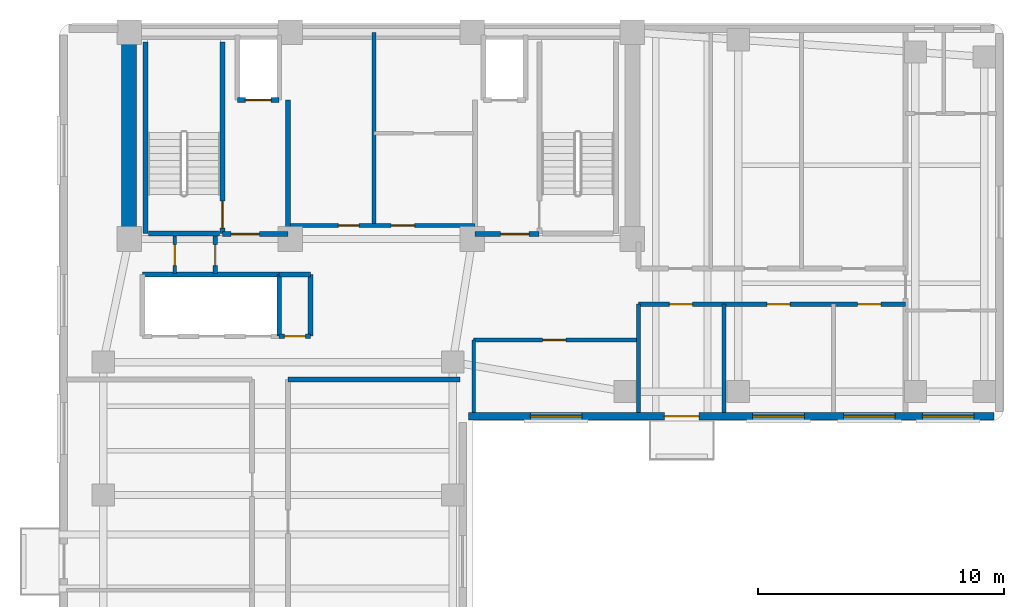
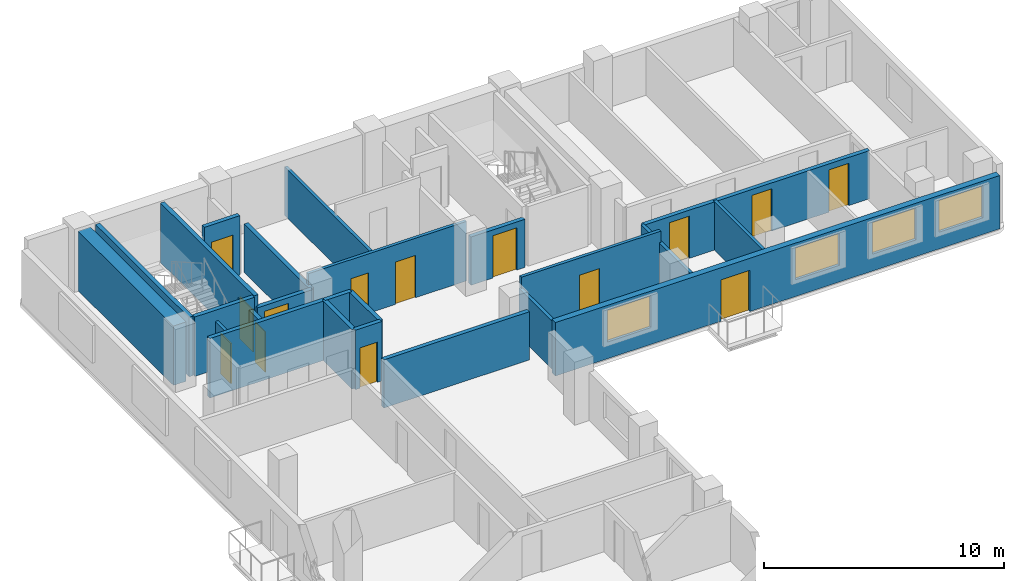
# One storey, part 3 of 7: 24 walls, 14 doors, 4 windows, 18 openings.
"""IFC4 building model written with IfcOpenShell, lengths in metres."""

from ifc_helpers import new_model, si_unit, direction, frame, frame_2d, origin, place, context, subcontext, project, spatial, rectangle, extrude, material, layer, layer_set, type_object, element, fill, save


model = new_model("IFC4")

# Units and contexts
model_context = context("Model", 3, precision=1e-05, world=origin(), true_north=direction((0.0, 1.0)))
body_context = subcontext(model_context, "Body", "Model", "MODEL_VIEW")
ifc_project = project(units=[si_unit("LENGTHUNIT", "METRE"), si_unit("AREAUNIT", "SQUARE_METRE"), si_unit("VOLUMEUNIT", "CUBIC_METRE"), si_unit("PLANEANGLEUNIT", "RADIAN"), si_unit("MASSUNIT", "GRAM", prefix="KILO")], contexts=[model_context])

# Site, building, storey
site_placement = place(None, origin())
site = spatial("IfcSite", under=ifc_project, at=site_placement, CompositionType="ELEMENT")
building_placement = place(site_placement, origin())
building = spatial("IfcBuilding", under=site, at=building_placement, Name="Kuzgunbayir Cultural Tower", CompositionType="ELEMENT")
storey_placement = place(building_placement, frame((0.0, 0.0, 172.800048828125)))
storey = spatial("IfcBuildingStorey", under=building, at=storey_placement, Name="L50", CompositionType="ELEMENT", Elevation=172.800048828125)

# Wall
ifc_material_1 = material(Name="Concrete C60/75", Category="concrete")
ifc_layer_1 = layer(ifc_material_1, 0.60009765625)
ifc_layer_set_1 = layer_set([ifc_layer_1], Name="Concrete C60/75")
wall_type_1 = type_object("IfcWallType", Name="WAL-CORE-600", PredefinedType="SHEAR", material=ifc_layer_set_1)
wall_1_placement = place(storey_placement, frame((6.449951171875, 33.800048828125, 0.0), z_axis=(0.0, 0.0, 1.0), x_axis=(0.0, 1.0, 0.0)))
element("IfcWall", 1, at=wall_1_placement, inside=storey, type_object=wall_type_1, Name="L50 T1 Core West Shear Wall", PredefinedType="SHEAR", context=body_context, shape_type="SweptSolid", body=[
    extrude(rectangle(XDim=7.949951171875, YDim=0.60009765625, at=frame_2d((3.97509765625, 0.0))), origin(), (0.0, 0.0, 1.0), 3.02001953125),
])

# Wall, openings, door, windows
ifc_material_2 = material(Name="Anatolian Cream Limestone", Category="masonry")
ifc_layer_2 = layer(ifc_material_2, 0.300048828125)
ifc_layer_set_2 = layer_set([ifc_layer_2], Name="Anatolian Cream Limestone")
wall_type_2 = type_object("IfcWallType", Name="WAL-EXT-STONE-300", PredefinedType="STANDARD", material=ifc_layer_set_2)
wall_2_placement = place(storey_placement, frame((20.25, 26.60009765625, 0.0), z_axis=(0.0, 0.0, 1.0), x_axis=(1.0, 0.0, 0.0)))
wall_2 = element("IfcWall", 2, at=wall_2_placement, inside=storey, type_object=wall_type_2, Name="L50 Wing B South Limestone Wall", PredefinedType="STANDARD", context=body_context, shape_type="SweptSolid", body=[
    extrude(rectangle(XDim=21.35009765625, YDim=0.300048828125, at=frame_2d((10.675048828125, 0.0))), origin(), (0.0, 0.0, 1.0), 2.7099609375),
])
opening_1_placement = place(wall_2_placement, frame((7.949951171875, 0.0, 0.0)))
opening_1 = element("IfcOpeningElement", 3, at=opening_1_placement, cuts=wall_2, Name="Opening BD-15", PredefinedType="OPENING", context=body_context, shape_type="SweptSolid", body=[
    extrude(rectangle(XDim=1.39990234375, YDim=2.10009765625, at=frame_2d((0.699951171875, 1.050048828125))), frame((0.0, 0.16015625, 0.0), z_axis=(0.0, -1.0, 0.0), x_axis=(1.0, 0.0, 0.0)), (0.0, 0.0, 1.0), 0.320068359375),
])
opening_2_placement = place(wall_2_placement, frame((2.5, 0.0, 0.85009765625)))
opening_2 = element("IfcOpeningElement", 4, at=opening_2_placement, cuts=wall_2, Name="Opening WR-21", PredefinedType="OPENING", context=body_context, shape_type="SweptSolid", body=[
    extrude(rectangle(XDim=2.10009765625, YDim=1.610107421875, at=frame_2d((1.050048828125, 0.80517578125))), frame((0.0, 0.16015625, 0.0), z_axis=(0.0, -1.0, 0.0), x_axis=(1.0, 0.0, 0.0)), (0.0, 0.0, 1.0), 0.320068359375),
])
opening_3_placement = place(wall_2_placement, frame((18.429931640625, 0.0, 0.85009765625)))
opening_3 = element("IfcOpeningElement", 5, at=opening_3_placement, cuts=wall_2, Name="Opening WR-21", PredefinedType="OPENING", context=body_context, shape_type="SweptSolid", body=[
    extrude(rectangle(XDim=2.10009765625, YDim=1.610107421875, at=frame_2d((1.050048828125, 0.80517578125))), frame((0.0, 0.16015625, 0.0), z_axis=(0.0, -1.0, 0.0), x_axis=(1.0, 0.0, 0.0)), (0.0, 0.0, 1.0), 0.320068359375),
])
opening_4_placement = place(wall_2_placement, frame((11.5400390625, 0.0, 0.85009765625)))
opening_4 = element("IfcOpeningElement", 6, at=opening_4_placement, cuts=wall_2, Name="Opening WR-21", PredefinedType="OPENING", context=body_context, shape_type="SweptSolid", body=[
    extrude(rectangle(XDim=2.10009765625, YDim=1.610107421875, at=frame_2d((1.050048828125, 0.80517578125))), frame((0.0, 0.16015625, 0.0), z_axis=(0.0, -1.0, 0.0), x_axis=(1.0, 0.0, 0.0)), (0.0, 0.0, 1.0), 0.320068359375),
])
opening_5_placement = place(wall_2_placement, frame((15.22998046875, 0.0, 0.85009765625)))
opening_5 = element("IfcOpeningElement", 7, at=opening_5_placement, cuts=wall_2, Name="Opening WR-21", PredefinedType="OPENING", context=body_context, shape_type="SweptSolid", body=[
    extrude(rectangle(XDim=2.10009765625, YDim=1.610107421875, at=frame_2d((1.050048828125, 0.80517578125))), frame((0.0, 0.16015625, 0.0), z_axis=(0.0, -1.0, 0.0), x_axis=(1.0, 0.0, 0.0)), (0.0, 0.0, 1.0), 0.320068359375),
])
ifc_material_3 = material(Name="Thermally Broken Glazed Aluminium", Category="aluminium")
door_type_1 = type_object("IfcDoorType", Name="DR-BALCONY-150", OperationType="SLIDING_TO_RIGHT", PredefinedType="DOOR", material=ifc_material_3)
door_1_placement = place(opening_1_placement, origin())
door_1 = element("IfcDoor", 8, at=door_1_placement, inside=storey, type_object=door_type_1, Name="L50 South Balcony Sliding Door BAL-L50-WB1", OperationType="SLIDING_TO_RIGHT", OverallHeight=2.10009765625, OverallWidth=1.39990234375, PredefinedType="DOOR", context=body_context, shape_type="SweptSolid", body=[
    extrude(rectangle(XDim=1.39990234375, YDim=2.10009765625, at=frame_2d((0.699951171875, 1.050048828125))), frame((0.0, 0.02490234375, 0.0), z_axis=(0.0, -1.0, 0.0), x_axis=(1.0, 0.0, 0.0)), (0.0, 0.0, 1.0), 0.050048828125),
])
fill(opening_1, door_1)
ifc_material_4 = material(Name="Solar-Control Triple Glazing", Category="glass")
window_type = type_object("IfcWindowType", Name="WIN-RESID-21", PartitioningType="SINGLE_PANEL", PredefinedType="WINDOW", material=ifc_material_4)
window_1_placement = place(opening_2_placement, origin())
window_1 = element("IfcWindow", 9, at=window_1_placement, inside=storey, type_object=window_type, Name="L50 WBS Facade Window 1", OverallHeight=1.610107421875, OverallWidth=2.10009765625, PartitioningType="SINGLE_PANEL", PredefinedType="WINDOW", context=body_context, shape_type="SweptSolid", body=[
    extrude(rectangle(XDim=2.10009765625, YDim=1.610107421875, at=frame_2d((1.050048828125, 0.80517578125))), frame((0.0, 0.030029296875, 0.0), z_axis=(0.0, -1.0, 0.0), x_axis=(1.0, 0.0, 0.0)), (0.0, 0.0, 1.0), 0.06005859375),
])
fill(opening_2, window_1)
window_2_placement = place(opening_3_placement, origin())
window_2 = element("IfcWindow", 10, at=window_2_placement, inside=storey, type_object=window_type, Name="L50 WBS Facade Window 8", OverallHeight=1.610107421875, OverallWidth=2.10009765625, PartitioningType="SINGLE_PANEL", PredefinedType="WINDOW", context=body_context, shape_type="SweptSolid", body=[
    extrude(rectangle(XDim=2.10009765625, YDim=1.610107421875, at=frame_2d((1.050048828125, 0.80517578125))), frame((0.0, 0.030029296875, 0.0), z_axis=(0.0, -1.0, 0.0), x_axis=(1.0, 0.0, 0.0)), (0.0, 0.0, 1.0), 0.06005859375),
])
fill(opening_3, window_2)
window_3_placement = place(opening_4_placement, origin())
window_3 = element("IfcWindow", 11, at=window_3_placement, inside=storey, type_object=window_type, Name="L50 WBS Facade Window 11", OverallHeight=1.610107421875, OverallWidth=2.10009765625, PartitioningType="SINGLE_PANEL", PredefinedType="WINDOW", context=body_context, shape_type="SweptSolid", body=[
    extrude(rectangle(XDim=2.10009765625, YDim=1.610107421875, at=frame_2d((1.050048828125, 0.80517578125))), frame((0.0, 0.030029296875, 0.0), z_axis=(0.0, -1.0, 0.0), x_axis=(1.0, 0.0, 0.0)), (0.0, 0.0, 1.0), 0.06005859375),
])
fill(opening_4, window_3)
window_4_placement = place(opening_5_placement, origin())
window_4 = element("IfcWindow", 12, at=window_4_placement, inside=storey, type_object=window_type, Name="L50 WBS Facade Window 12", OverallHeight=1.610107421875, OverallWidth=2.10009765625, PartitioningType="SINGLE_PANEL", PredefinedType="WINDOW", context=body_context, shape_type="SweptSolid", body=[
    extrude(rectangle(XDim=2.10009765625, YDim=1.610107421875, at=frame_2d((1.050048828125, 0.80517578125))), frame((0.0, 0.030029296875, 0.0), z_axis=(0.0, -1.0, 0.0), x_axis=(1.0, 0.0, 0.0)), (0.0, 0.0, 1.0), 0.06005859375),
])
fill(opening_5, window_4)

# Wall, opening, door
ifc_material_5 = material(Name="Acoustic Double-Stud Drywall", Category="gypsum")
ifc_layer_3 = layer(ifc_material_5, 0.14990234375)
ifc_layer_set_3 = layer_set([ifc_layer_3], Name="Acoustic Double-Stud Drywall")
wall_type_3 = type_object("IfcWallType", Name="WAL-PART-ACOUSTIC-150", PredefinedType="PARTITIONING", material=ifc_layer_set_3)
wall_3_placement = place(storey_placement, frame((8.300048828125, 32.39990234375, 0.0), z_axis=(0.0, 0.0, 1.0), x_axis=(0.0, 1.0, 0.0)))
wall_3 = element("IfcWall", 13, at=wall_3_placement, inside=storey, type_object=wall_type_3, Name="L50 West Core Closet Divider", PredefinedType="PARTITIONING", context=body_context, shape_type="SweptSolid", body=[
    extrude(rectangle(XDim=1.52001953125, YDim=0.14990234375, at=frame_2d((0.760009765625, 0.0))), origin(), (0.0, 0.0, 1.0), 2.449951171875),
])
opening_6_placement = place(wall_3_placement, frame((0.320068359375, 0.0, 0.0)))
opening_6 = element("IfcOpeningElement", 14, at=opening_6_placement, cuts=wall_3, Name="Opening DR-RSR-60", PredefinedType="OPENING", context=body_context, shape_type="SweptSolid", body=[
    extrude(rectangle(XDim=0.85009765625, YDim=2.050048828125, at=frame_2d((0.425048828125, 1.02490234375))), frame((0.0, 0.0849609375, 0.0), z_axis=(0.0, -1.0, 0.0), x_axis=(1.0, 0.0, 0.0)), (0.0, 0.0, 1.0), 0.169921875),
])
ifc_material_6 = material(Name="Steel Access Leaf", Category="steel")
door_type_2 = type_object("IfcDoorType", Name="DR-RISER-60", OperationType="NOTDEFINED", PredefinedType="DOOR", material=ifc_material_6)
door_2_placement = place(opening_6_placement, origin())
door_2 = element("IfcDoor", 15, at=door_2_placement, inside=storey, type_object=door_type_2, Name="L50 Sub-Meter Closet Door", OperationType="SINGLE_SWING_LEFT", OverallHeight=2.050048828125, OverallWidth=0.85009765625, PredefinedType="DOOR", context=body_context, shape_type="SweptSolid", body=[
    extrude(rectangle(XDim=0.85009765625, YDim=2.050048828125, at=frame_2d((0.425048828125, 1.02490234375))), frame((0.0, 0.02490234375, 0.0), z_axis=(0.0, -1.0, 0.0), x_axis=(1.0, 0.0, 0.0)), (0.0, 0.0, 1.0), 0.050048828125),
])
fill(opening_6, door_2)

# Wall, openings, doors
wall_4_placement = place(storey_placement, frame((12.89990234375, 34.35009765625, 0.0), z_axis=(0.0, 0.0, 1.0), x_axis=(1.0, 0.0, 0.0)))
wall_4 = element("IfcWall", 16, at=wall_4_placement, inside=storey, type_object=wall_type_3, Name="L50 Sky Core South Wall", PredefinedType="PARTITIONING", context=body_context, shape_type="SweptSolid", body=[
    extrude(rectangle(XDim=7.60009765625, YDim=0.14990234375, at=frame_2d((3.800048828125, 0.0))), origin(), (0.0, 0.0, 1.0), 3.02001953125),
])
opening_7_placement = place(wall_4_placement, frame((2.050048828125, 0.0, 0.0)))
opening_7 = element("IfcOpeningElement", 17, at=opening_7_placement, cuts=wall_4, Name="Opening DC-85", PredefinedType="OPENING", context=body_context, shape_type="SweptSolid", body=[
    extrude(rectangle(XDim=0.85009765625, YDim=2.050048828125, at=frame_2d((0.425048828125, 1.02490234375))), frame((0.0, 0.0849609375, 0.0), z_axis=(0.0, -1.0, 0.0), x_axis=(1.0, 0.0, 0.0)), (0.0, 0.0, 1.0), 0.169921875),
])
opening_8_placement = place(wall_4_placement, frame((4.199951171875, 0.0, 0.0)))
opening_8 = element("IfcOpeningElement", 18, at=opening_8_placement, cuts=wall_4, Name="Opening DC-95", PredefinedType="OPENING", context=body_context, shape_type="SweptSolid", body=[
    extrude(rectangle(XDim=0.949951171875, YDim=2.14990234375, at=frame_2d((0.47509765625, 1.074951171875))), frame((0.0, 0.0849609375, 0.0), z_axis=(0.0, -1.0, 0.0), x_axis=(1.0, 0.0, 0.0)), (0.0, 0.0, 1.0), 0.169921875),
])
ifc_material_7 = material(Name="Fire-Rated Veneered Oak Leaf", Category="wood")
door_type_3 = type_object("IfcDoorType", Name="DR-CORE-85", OperationType="NOTDEFINED", PredefinedType="DOOR", material=ifc_material_7)
door_3_placement = place(opening_7_placement, origin())
door_3 = element("IfcDoor", 19, at=door_3_placement, inside=storey, type_object=door_type_3, Name="L50 Study Pod Door", OperationType="SINGLE_SWING_LEFT", OverallHeight=2.050048828125, OverallWidth=0.85009765625, PredefinedType="DOOR", context=body_context, shape_type="SweptSolid", body=[
    extrude(rectangle(XDim=0.85009765625, YDim=2.050048828125, at=frame_2d((0.425048828125, 1.02490234375))), frame((0.0, 0.02490234375, 0.0), z_axis=(0.0, -1.0, 0.0), x_axis=(1.0, 0.0, 0.0)), (0.0, 0.0, 1.0), 0.050048828125),
])
fill(opening_7, door_3)
door_type_4 = type_object("IfcDoorType", Name="DR-CORE-95", OperationType="NOTDEFINED", PredefinedType="DOOR", material=ifc_material_7)
door_4_placement = place(opening_8_placement, origin())
door_4 = element("IfcDoor", 20, at=door_4_placement, inside=storey, type_object=door_type_4, Name="L50 Tea Salon Door", OperationType="SINGLE_SWING_RIGHT", OverallHeight=2.14990234375, OverallWidth=0.949951171875, PredefinedType="DOOR", context=body_context, shape_type="SweptSolid", body=[
    extrude(rectangle(XDim=0.949951171875, YDim=2.14990234375, at=frame_2d((0.47509765625, 1.074951171875))), frame((0.0, 0.02490234375, 0.0), z_axis=(0.0, -1.0, 0.0), x_axis=(1.0, 0.0, 0.0)), (0.0, 0.0, 1.0), 0.050048828125),
])
fill(opening_8, door_4)

# Wall
wall_5_placement = place(storey_placement, frame((16.39990234375, 34.35009765625, 0.0), z_axis=(0.0, 0.0, 1.0), x_axis=(0.0, 1.0, 0.0)))
element("IfcWall", 21, at=wall_5_placement, inside=storey, type_object=wall_type_3, Name="L50 Sky Core Tri-Wall 1", PredefinedType="PARTITIONING", context=body_context, shape_type="SweptSolid", body=[
    extrude(rectangle(XDim=7.849853515625, YDim=0.14990234375, at=frame_2d((3.9248046875, 0.0))), origin(), (0.0, 0.0, 1.0), 2.449951171875),
])

# Wall, opening, door
wall_6_placement = place(storey_placement, frame((20.449951171875, 29.699951171875, 0.0), z_axis=(0.0, 0.0, 1.0), x_axis=(1.0, 0.0, 0.0)))
wall_6 = element("IfcWall", 22, at=wall_6_placement, inside=storey, type_object=wall_type_3, Name="L50 Waist Alcove North Wall", PredefinedType="PARTITIONING", context=body_context, shape_type="SweptSolid", body=[
    extrude(rectangle(XDim=6.699951171875, YDim=0.14990234375, at=frame_2d((3.35009765625, 0.0))), origin(), (0.0, 0.0, 1.0), 3.02001953125),
])
opening_9_placement = place(wall_6_placement, frame((2.800048828125, 0.0, 0.0)))
opening_9 = element("IfcOpeningElement", 23, at=opening_9_placement, cuts=wall_6, Name="Opening DI-90", PredefinedType="OPENING", context=body_context, shape_type="SweptSolid", body=[
    extrude(rectangle(XDim=0.949951171875, YDim=2.14990234375, at=frame_2d((0.47509765625, 1.074951171875))), frame((0.0, 0.0849609375, 0.0), z_axis=(0.0, -1.0, 0.0), x_axis=(1.0, 0.0, 0.0)), (0.0, 0.0, 1.0), 0.169921875),
])
ifc_material_8 = material(Name="Veneered Oak Single Leaf", Category="wood")
door_type_5 = type_object("IfcDoorType", Name="DR-INT-90", OperationType="NOTDEFINED", PredefinedType="DOOR", material=ifc_material_8)
door_5_placement = place(opening_9_placement, origin())
door_5 = element("IfcDoor", 24, at=door_5_placement, inside=storey, type_object=door_type_5, Name="L50 Waist Alcove Door", OperationType="SINGLE_SWING_RIGHT", OverallHeight=2.14990234375, OverallWidth=0.949951171875, PredefinedType="DOOR", context=body_context, shape_type="SweptSolid", body=[
    extrude(rectangle(XDim=0.949951171875, YDim=2.14990234375, at=frame_2d((0.47509765625, 1.074951171875))), frame((0.0, 0.02490234375, 0.0), z_axis=(0.0, -1.0, 0.0), x_axis=(1.0, 0.0, 0.0)), (0.0, 0.0, 1.0), 0.050048828125),
])
fill(opening_9, door_5)

# Walls
wall_7_placement = place(storey_placement, frame((20.449951171875, 26.75, 0.0), z_axis=(0.0, 0.0, 1.0), x_axis=(0.0, 1.0, 0.0)))
element("IfcWall", 25, at=wall_7_placement, inside=storey, type_object=wall_type_3, Name="L50 Waist Alcove West Wall", PredefinedType="PARTITIONING", context=body_context, shape_type="SweptSolid", body=[
    extrude(rectangle(XDim=2.949951171875, YDim=0.14990234375, at=frame_2d((1.47509765625, 0.0))), origin(), (0.0, 0.0, 1.0), 2.449951171875),
])
for number, where, z_axis, x_axis, name in (
    (26, (27.14990234375, 26.75, 0.0), (0.0, 0.0, 1.0), (0.0, 1.0, 0.0), "L50 Waist Alcove East Wall"),
    (27, (30.6201171875, 26.75, 0.0), (0.0, 0.0, 1.0), (0.0, 1.0, 0.0), "L50 Wing B South Divider 1"),
):
    element("IfcWall", number, at=place(storey_placement, frame(where, z_axis=z_axis, x_axis=x_axis)), inside=storey, type_object=wall_type_3, Name=name, PredefinedType="PARTITIONING", context=body_context, shape_type="SweptSolid", body=[
        extrude(rectangle(XDim=4.39990234375, YDim=0.14990234375, at=frame_2d((2.199951171875, 0.0))), origin(), (0.0, 0.0, 1.0), 2.449951171875),
    ])
ifc_material_9 = material(Name="Aerated Concrete Blockwork", Category="masonry")
ifc_layer_4 = layer(ifc_material_9, 0.199951171875)
ifc_layer_set_4 = layer_set([ifc_layer_4], Name="Aerated Concrete Blockwork")
wall_type_4 = type_object("IfcWallType", Name="WAL-PART-FIRE-200", PredefinedType="PARTITIONING", material=ifc_layer_set_4)
wall_8_placement = place(storey_placement, frame((12.89990234375, 34.0, 0.0), z_axis=(0.0, 0.0, 1.0), x_axis=(0.0, 1.0, 0.0)))
element("IfcWall", 28, at=wall_8_placement, inside=storey, type_object=wall_type_4, Name="L50 FFL-1 Lobby East Fire Wall", PredefinedType="PARTITIONING", context=body_context, shape_type="SweptSolid", body=[
    extrude(rectangle(XDim=5.449951171875, YDim=0.199951171875, at=frame_2d((2.72509765625, 0.0))), origin(), (0.0, 0.0, 1.0), 2.449951171875),
])

# Wall, opening, door
wall_9_placement = place(storey_placement, frame((10.239990234375, 34.0, 0.0), z_axis=(0.0, 0.0, 1.0), x_axis=(1.0, 0.0, 0.0)))
wall_9 = element("IfcWall", 29, at=wall_9_placement, inside=storey, type_object=wall_type_4, Name="L50 FFL-1 Lobby South Fire Wall", PredefinedType="PARTITIONING", context=body_context, shape_type="SweptSolid", body=[
    extrude(rectangle(XDim=2.659912109375, YDim=0.199951171875, at=frame_2d((1.330078125, 0.0))), origin(), (0.0, 0.0, 1.0), 2.449951171875),
])
opening_10_placement = place(wall_9_placement, frame((0.35009765625, 0.0, 0.0)))
opening_10 = element("IfcOpeningElement", 30, at=opening_10_placement, cuts=wall_9, Name="Opening DR-FFL-90", PredefinedType="OPENING", context=body_context, shape_type="SweptSolid", body=[
    extrude(rectangle(XDim=1.14990234375, YDim=2.14990234375, at=frame_2d((0.574951171875, 1.074951171875))), frame((0.0, 0.10986328125, 0.0), z_axis=(0.0, -1.0, 0.0), x_axis=(1.0, 0.0, 0.0)), (0.0, 0.0, 1.0), 0.219970703125),
])
ifc_material_10 = material(Name="Steel S355J2", Category="steel")
door_type_6 = type_object("IfcDoorType", Name="DR-FFL-90", OperationType="NOTDEFINED", PredefinedType="DOOR", material=ifc_material_10)
door_6_placement = place(opening_10_placement, origin())
door_6 = element("IfcDoor", 31, at=door_6_placement, inside=storey, type_object=door_type_6, Name="L50 Firefighting Lobby 1 Door", OperationType="SINGLE_SWING_RIGHT", OverallHeight=2.14990234375, OverallWidth=1.14990234375, PredefinedType="DOOR", context=body_context, shape_type="SweptSolid", body=[
    extrude(rectangle(XDim=1.14990234375, YDim=2.14990234375, at=frame_2d((0.574951171875, 1.074951171875))), frame((0.0, 0.02490234375, 0.0), z_axis=(0.0, -1.0, 0.0), x_axis=(1.0, 0.0, 0.0)), (0.0, 0.0, 1.0), 0.050048828125),
])
fill(opening_10, door_6)

wall_10_placement = place(storey_placement, frame((20.5, 34.0, 0.0), z_axis=(0.0, 0.0, 1.0), x_axis=(1.0, 0.0, 0.0)))
wall_10 = element("IfcWall", 32, at=wall_10_placement, inside=storey, type_object=wall_type_4, Name="L50 FFL-2 Lobby South Fire Wall", PredefinedType="PARTITIONING", context=body_context, shape_type="SweptSolid", body=[
    extrude(rectangle(XDim=2.60009765625, YDim=0.199951171875, at=frame_2d((1.300048828125, 0.0))), origin(), (0.0, 0.0, 1.0), 2.449951171875),
])
opening_11_placement = place(wall_10_placement, frame((1.050048828125, 0.0, 0.0)))
opening_11 = element("IfcOpeningElement", 33, at=opening_11_placement, cuts=wall_10, Name="Opening DR-FFL-90", PredefinedType="OPENING", context=body_context, shape_type="SweptSolid", body=[
    extrude(rectangle(XDim=1.14990234375, YDim=2.14990234375, at=frame_2d((0.574951171875, 1.074951171875))), frame((0.0, 0.10986328125, 0.0), z_axis=(0.0, -1.0, 0.0), x_axis=(1.0, 0.0, 0.0)), (0.0, 0.0, 1.0), 0.219970703125),
])
door_7_placement = place(opening_11_placement, origin())
door_7 = element("IfcDoor", 34, at=door_7_placement, inside=storey, type_object=door_type_6, Name="L50 Firefighting Lobby 2 Door", OperationType="SINGLE_SWING_LEFT", OverallHeight=2.14990234375, OverallWidth=1.14990234375, PredefinedType="DOOR", context=body_context, shape_type="SweptSolid", body=[
    extrude(rectangle(XDim=1.14990234375, YDim=2.14990234375, at=frame_2d((0.574951171875, 1.074951171875))), frame((0.0, 0.02490234375, 0.0), z_axis=(0.0, -1.0, 0.0), x_axis=(1.0, 0.0, 0.0)), (0.0, 0.0, 1.0), 0.050048828125),
])
fill(opening_11, door_7)

wall_11_placement = place(storey_placement, frame((9.949951171875, 32.39990234375, 0.0), z_axis=(0.0, 0.0, 1.0), x_axis=(0.0, 1.0, 0.0)))
wall_11 = element("IfcWall", 35, at=wall_11_placement, inside=storey, type_object=wall_type_4, Name="L50 West Core Service Closet Wall", PredefinedType="PARTITIONING", context=body_context, shape_type="SweptSolid", body=[
    extrude(rectangle(XDim=1.52001953125, YDim=0.199951171875, at=frame_2d((0.760009765625, 0.0))), origin(), (0.0, 0.0, 1.0), 2.449951171875),
])
opening_12_placement = place(wall_11_placement, frame((0.320068359375, 0.0, 0.0)))
opening_12 = element("IfcOpeningElement", 36, at=opening_12_placement, cuts=wall_11, Name="Opening DR-RSR-60", PredefinedType="OPENING", context=body_context, shape_type="SweptSolid", body=[
    extrude(rectangle(XDim=0.85009765625, YDim=2.050048828125, at=frame_2d((0.425048828125, 1.02490234375))), frame((0.0, 0.10986328125, 0.0), z_axis=(0.0, -1.0, 0.0), x_axis=(1.0, 0.0, 0.0)), (0.0, 0.0, 1.0), 0.219970703125),
])
door_8_placement = place(opening_12_placement, origin())
door_8 = element("IfcDoor", 37, at=door_8_placement, inside=storey, type_object=door_type_2, Name="L50 Cleaner Store Door", OperationType="SINGLE_SWING_RIGHT", OverallHeight=2.050048828125, OverallWidth=0.85009765625, PredefinedType="DOOR", context=body_context, shape_type="SweptSolid", body=[
    extrude(rectangle(XDim=0.85009765625, YDim=2.050048828125, at=frame_2d((0.425048828125, 1.02490234375))), frame((0.0, 0.02490234375, 0.0), z_axis=(0.0, -1.0, 0.0), x_axis=(1.0, 0.0, 0.0)), (0.0, 0.0, 1.0), 0.050048828125),
])
fill(opening_12, door_8)

wall_12_placement = place(storey_placement, frame((12.550048828125, 29.85009765625, 0.0), z_axis=(0.0, 0.0, 1.0), x_axis=(1.0, 0.0, 0.0)))
wall_12 = element("IfcWall", 38, at=wall_12_placement, inside=storey, type_object=wall_type_4, Name="L50 Center Core Switchgear South Wall", PredefinedType="PARTITIONING", context=body_context, shape_type="SweptSolid", body=[
    extrude(rectangle(XDim=1.27001953125, YDim=0.199951171875, at=frame_2d((0.635009765625, 0.0))), origin(), (0.0, 0.0, 1.0), 3.02001953125),
])
opening_13_placement = place(wall_12_placement, frame((0.2099609375, 0.0, 0.0)))
opening_13 = element("IfcOpeningElement", 39, at=opening_13_placement, cuts=wall_12, Name="Opening DR-RSR-60", PredefinedType="OPENING", context=body_context, shape_type="SweptSolid", body=[
    extrude(rectangle(XDim=0.85009765625, YDim=2.050048828125, at=frame_2d((0.425048828125, 1.02490234375))), frame((0.0, 0.10986328125, 0.0), z_axis=(0.0, -1.0, 0.0), x_axis=(1.0, 0.0, 0.0)), (0.0, 0.0, 1.0), 0.219970703125),
])
door_9_placement = place(opening_13_placement, origin())
door_9 = element("IfcDoor", 40, at=door_9_placement, inside=storey, type_object=door_type_2, Name="L50 Telecom Closet Door", OperationType="SINGLE_SWING_RIGHT", OverallHeight=2.050048828125, OverallWidth=0.85009765625, PredefinedType="DOOR", context=body_context, shape_type="SweptSolid", body=[
    extrude(rectangle(XDim=0.85009765625, YDim=2.050048828125, at=frame_2d((0.425048828125, 1.02490234375))), frame((0.0, 0.02490234375, 0.0), z_axis=(0.0, -1.0, 0.0), x_axis=(1.0, 0.0, 0.0)), (0.0, 0.0, 1.0), 0.050048828125),
])
fill(opening_13, door_9)

# Walls
wall_13_placement = place(storey_placement, frame((13.820068359375, 29.85009765625, 0.0), z_axis=(0.0, 0.0, 1.0), x_axis=(0.0, 1.0, 0.0)))
element("IfcWall", 41, at=wall_13_placement, inside=storey, type_object=wall_type_4, Name="L50 Center Core Switchgear East Wall", PredefinedType="PARTITIONING", context=body_context, shape_type="SweptSolid", body=[
    extrude(rectangle(XDim=2.5, YDim=0.199951171875, at=frame_2d((1.25, 0.0))), origin(), (0.0, 0.0, 1.0), 3.02001953125),
])
wall_14_placement = place(storey_placement, frame((12.550048828125, 32.35009765625, 0.0), z_axis=(0.0, 0.0, 1.0), x_axis=(1.0, 0.0, 0.0)))
element("IfcWall", 42, at=wall_14_placement, inside=storey, type_object=wall_type_4, Name="L50 Center Core Switchgear North Wall", PredefinedType="PARTITIONING", context=body_context, shape_type="SweptSolid", body=[
    extrude(rectangle(XDim=1.27001953125, YDim=0.199951171875, at=frame_2d((0.635009765625, 0.0))), origin(), (0.0, 0.0, 1.0), 3.02001953125),
])
wall_15_placement = place(storey_placement, frame((12.909912109375, 28.10009765625, 0.0), z_axis=(0.0, 0.0, 1.0), x_axis=(1.0, 0.0, 0.0)))
element("IfcWall", 43, at=wall_15_placement, inside=storey, type_object=wall_type_4, Name="L50 North East Partition", PredefinedType="PARTITIONING", context=body_context, shape_type="SweptSolid", body=[
    extrude(rectangle(XDim=6.989990234375, YDim=0.199951171875, at=frame_2d((3.4951171875, 0.0))), origin(), (0.0, 0.0, 1.0), 2.449951171875),
])

# Wall, openings, doors
wall_16_placement = place(storey_placement, frame((27.14990234375, 31.14990234375, 0.0), z_axis=(0.0, 0.0, 1.0), x_axis=(1.0, 0.0, 0.0)))
wall_16 = element("IfcWall", 44, at=wall_16_placement, inside=storey, type_object=wall_type_4, Name="L50 Wing B Residence Corridor South Wall", PredefinedType="PARTITIONING", context=body_context, shape_type="SweptSolid", body=[
    extrude(rectangle(XDim=10.85009765625, YDim=0.199951171875, at=frame_2d((5.425048828125, 0.0))), origin(), (0.0, 0.0, 1.0), 2.449951171875),
])
opening_14_placement = place(wall_16_placement, frame((1.25, 0.0, 0.0)))
opening_14 = element("IfcOpeningElement", 45, at=opening_14_placement, cuts=wall_16, Name="Opening DI-90", PredefinedType="OPENING", context=body_context, shape_type="SweptSolid", body=[
    extrude(rectangle(XDim=0.949951171875, YDim=2.14990234375, at=frame_2d((0.47509765625, 1.074951171875))), frame((0.0, 0.10986328125, 0.0), z_axis=(0.0, -1.0, 0.0), x_axis=(1.0, 0.0, 0.0)), (0.0, 0.0, 1.0), 0.219970703125),
])
opening_15_placement = place(wall_16_placement, frame((5.2099609375, 0.0, 0.0)))
opening_15 = element("IfcOpeningElement", 46, at=opening_15_placement, cuts=wall_16, Name="Opening DI-90", PredefinedType="OPENING", context=body_context, shape_type="SweptSolid", body=[
    extrude(rectangle(XDim=0.949951171875, YDim=2.14990234375, at=frame_2d((0.47509765625, 1.074951171875))), frame((0.0, 0.10986328125, 0.0), z_axis=(0.0, -1.0, 0.0), x_axis=(1.0, 0.0, 0.0)), (0.0, 0.0, 1.0), 0.219970703125),
])
opening_16_placement = place(wall_16_placement, frame((8.89990234375, 0.0, 0.0)))
opening_16 = element("IfcOpeningElement", 47, at=opening_16_placement, cuts=wall_16, Name="Opening DI-90", PredefinedType="OPENING", context=body_context, shape_type="SweptSolid", body=[
    extrude(rectangle(XDim=0.949951171875, YDim=2.14990234375, at=frame_2d((0.47509765625, 1.074951171875))), frame((0.0, 0.10986328125, 0.0), z_axis=(0.0, -1.0, 0.0), x_axis=(1.0, 0.0, 0.0)), (0.0, 0.0, 1.0), 0.219970703125),
])
door_10_placement = place(opening_14_placement, origin())
door_10 = element("IfcDoor", 48, at=door_10_placement, inside=storey, type_object=door_type_5, Name="L50 Wing B Wellness Consultation Studio 1 Door", OperationType="SINGLE_SWING_LEFT", OverallHeight=2.14990234375, OverallWidth=0.949951171875, PredefinedType="DOOR", context=body_context, shape_type="SweptSolid", body=[
    extrude(rectangle(XDim=0.949951171875, YDim=2.14990234375, at=frame_2d((0.47509765625, 1.074951171875))), frame((0.0, 0.02490234375, 0.0), z_axis=(0.0, -1.0, 0.0), x_axis=(1.0, 0.0, 0.0)), (0.0, 0.0, 1.0), 0.050048828125),
])
fill(opening_14, door_10)
door_11_placement = place(opening_15_placement, origin())
door_11 = element("IfcDoor", 49, at=door_11_placement, inside=storey, type_object=door_type_5, Name="L50 Wing B Wellness Consultation Studio 2 Door", OperationType="SINGLE_SWING_RIGHT", OverallHeight=2.14990234375, OverallWidth=0.949951171875, PredefinedType="DOOR", context=body_context, shape_type="SweptSolid", body=[
    extrude(rectangle(XDim=0.949951171875, YDim=2.14990234375, at=frame_2d((0.47509765625, 1.074951171875))), frame((0.0, 0.02490234375, 0.0), z_axis=(0.0, -1.0, 0.0), x_axis=(1.0, 0.0, 0.0)), (0.0, 0.0, 1.0), 0.050048828125),
])
fill(opening_15, door_11)
door_12_placement = place(opening_16_placement, origin())
door_12 = element("IfcDoor", 50, at=door_12_placement, inside=storey, type_object=door_type_5, Name="L50 Wing B Wellness Consultation Studio 3 Door", OperationType="SINGLE_SWING_LEFT", OverallHeight=2.14990234375, OverallWidth=0.949951171875, PredefinedType="DOOR", context=body_context, shape_type="SweptSolid", body=[
    extrude(rectangle(XDim=0.949951171875, YDim=2.14990234375, at=frame_2d((0.47509765625, 1.074951171875))), frame((0.0, 0.02490234375, 0.0), z_axis=(0.0, -1.0, 0.0), x_axis=(1.0, 0.0, 0.0)), (0.0, 0.0, 1.0), 0.050048828125),
])
fill(opening_16, door_12)

# Walls
ifc_material_11 = material(Name="Concrete C40/50", Category="concrete")
ifc_layer_5 = layer(ifc_material_11, 0.199951171875)
ifc_layer_set_5 = layer_set([ifc_layer_5], Name="Concrete C40/50")
wall_type_5 = type_object("IfcWallType", Name="WAL-SHAFT-200", PredefinedType="MOVABLE", material=ifc_layer_set_5)
wall_17_placement = place(storey_placement, frame((7.0, 32.35009765625, 0.0), z_axis=(0.0, 0.0, 1.0), x_axis=(1.0, 0.0, 0.0)))
element("IfcWall", 51, at=wall_17_placement, inside=storey, type_object=wall_type_5, Name="L50 High-Rise Lift Shaft North Wall", PredefinedType="MOVABLE", context=body_context, shape_type="SweptSolid", body=[
    extrude(rectangle(XDim=5.550048828125, YDim=0.199951171875, at=frame_2d((2.77490234375, 0.0))), origin(), (0.0, 0.0, 1.0), 3.02001953125),
])
wall_18_placement = place(storey_placement, frame((12.550048828125, 29.85009765625, 0.0), z_axis=(0.0, 0.0, 1.0), x_axis=(0.0, 1.0, 0.0)))
element("IfcWall", 52, at=wall_18_placement, inside=storey, type_object=wall_type_5, Name="L50 High-Rise Lift Shaft East Wall", PredefinedType="MOVABLE", context=body_context, shape_type="SweptSolid", body=[
    extrude(rectangle(XDim=2.5, YDim=0.199951171875, at=frame_2d((1.25, 0.0))), origin(), (0.0, 0.0, 1.0), 3.02001953125),
])

# Wall, opening, door
wall_19_placement = place(storey_placement, frame((10.85009765625, 39.449951171875, 0.0), z_axis=(0.0, 0.0, 1.0), x_axis=(1.0, 0.0, 0.0)))
wall_19 = element("IfcWall", 53, at=wall_19_placement, inside=storey, type_object=wall_type_5, Name="L50 FFL-1 Lift Front Wall", PredefinedType="MOVABLE", context=body_context, shape_type="SweptSolid", body=[
    extrude(rectangle(XDim=1.699951171875, YDim=0.199951171875, at=frame_2d((0.85009765625, 0.0))), origin(), (0.0, 0.0, 1.0), 3.02001953125),
])
opening_17_placement = place(wall_19_placement, frame((0.320068359375, 0.0, 0.0)))
opening_17 = element("IfcOpeningElement", 54, at=opening_17_placement, cuts=wall_19, Name="Opening LD", PredefinedType="OPENING", context=body_context, shape_type="SweptSolid", body=[
    extrude(rectangle(XDim=1.050048828125, YDim=2.14990234375, at=frame_2d((0.52490234375, 1.074951171875))), frame((0.0, 0.10986328125, 0.0), z_axis=(0.0, -1.0, 0.0), x_axis=(1.0, 0.0, 0.0)), (0.0, 0.0, 1.0), 0.219970703125),
])
ifc_material_12 = material(Name="Brushed Stainless Steel", Category="steel")
door_type_7 = type_object("IfcDoorType", Name="DR-LIFT-LANDING", OperationType="SLIDING_TO_LEFT", PredefinedType="DOOR", material=ifc_material_12)
door_13_placement = place(opening_17_placement, origin())
door_13 = element("IfcDoor", 55, at=door_13_placement, inside=storey, type_object=door_type_7, Name="L50 Lift FFL-1 Landing Door", OperationType="SLIDING_TO_LEFT", OverallHeight=2.14990234375, OverallWidth=1.050048828125, PredefinedType="DOOR", context=body_context, shape_type="SweptSolid", body=[
    extrude(rectangle(XDim=1.050048828125, YDim=2.14990234375, at=frame_2d((0.52490234375, 1.074951171875))), frame((0.0, 0.02490234375, 0.0), z_axis=(0.0, -1.0, 0.0), x_axis=(1.0, 0.0, 0.0)), (0.0, 0.0, 1.0), 0.050048828125),
])
fill(opening_17, door_13)

# Wall
ifc_layer_6 = layer(ifc_material_11, 0.199951171875)
ifc_layer_set_6 = layer_set([ifc_layer_6], Name="Concrete C40/50")
wall_type_6 = type_object("IfcWallType", Name="WAL-STAIR-RC-200", PredefinedType="SHEAR", material=ifc_layer_set_6)
wall_20_placement = place(storey_placement, frame((7.1201171875, 34.02001953125, 0.0), z_axis=(0.0, 0.0, 1.0), x_axis=(0.0, 1.0, 0.0)))
element("IfcWall", 56, at=wall_20_placement, inside=storey, type_object=wall_type_6, Name="L50 Stair ST-1 West Structural Wall", PredefinedType="SHEAR", context=body_context, shape_type="SweptSolid", body=[
    extrude(rectangle(XDim=7.780029296875, YDim=0.199951171875, at=frame_2d((3.89013671875, 0.0))), origin(), (0.0, 0.0, 1.0), 3.02001953125),
])

# Wall, opening, door
wall_21_placement = place(storey_placement, frame((10.239990234375, 34.02001953125, 0.0), z_axis=(0.0, 0.0, 1.0), x_axis=(0.0, 1.0, 0.0)))
wall_21 = element("IfcWall", 57, at=wall_21_placement, inside=storey, type_object=wall_type_6, Name="L50 Stair ST-1 East Structural Wall", PredefinedType="SHEAR", context=body_context, shape_type="SweptSolid", body=[
    extrude(rectangle(XDim=7.780029296875, YDim=0.199951171875, at=frame_2d((3.89013671875, 0.0))), origin(), (0.0, 0.0, 1.0), 3.02001953125),
])
opening_18_placement = place(wall_21_placement, frame((0.219970703125, 0.0, 0.0)))
opening_18 = element("IfcOpeningElement", 58, at=opening_18_placement, cuts=wall_21, Name="Opening DR-STAIR-90", PredefinedType="OPENING", context=body_context, shape_type="SweptSolid", body=[
    extrude(rectangle(XDim=1.10009765625, YDim=2.14990234375, at=frame_2d((0.550048828125, 1.074951171875))), frame((0.0, 0.10986328125, 0.0), z_axis=(0.0, -1.0, 0.0), x_axis=(1.0, 0.0, 0.0)), (0.0, 0.0, 1.0), 0.219970703125),
])
door_type_8 = type_object("IfcDoorType", Name="DR-STAIR-90", OperationType="NOTDEFINED", PredefinedType="DOOR", material=ifc_material_10)
door_14_placement = place(opening_18_placement, origin())
door_14 = element("IfcDoor", 59, at=door_14_placement, inside=storey, type_object=door_type_8, Name="L50 Stair ST-1 Fire Door", OperationType="SINGLE_SWING_RIGHT", OverallHeight=2.14990234375, OverallWidth=1.10009765625, PredefinedType="DOOR", context=body_context, shape_type="SweptSolid", body=[
    extrude(rectangle(XDim=1.10009765625, YDim=2.14990234375, at=frame_2d((0.550048828125, 1.074951171875))), frame((0.0, 0.02490234375, 0.0), z_axis=(0.0, -1.0, 0.0), x_axis=(1.0, 0.0, 0.0)), (0.0, 0.0, 1.0), 0.050048828125),
])
fill(opening_18, door_14)

# Wall
wall_22_placement = place(storey_placement, frame((7.239990234375, 34.02001953125, 0.0), z_axis=(0.0, 0.0, 1.0), x_axis=(1.0, 0.0, 0.0)))
element("IfcWall", 60, at=wall_22_placement, inside=storey, type_object=wall_type_6, Name="L50 Stair ST-1 South Structural Wall", PredefinedType="SHEAR", context=body_context, shape_type="SweptSolid", body=[
    extrude(rectangle(XDim=2.880126953125, YDim=0.199951171875, at=frame_2d((1.43994140625, 0.0))), origin(), (0.0, 0.0, 1.0), 3.02001953125),
])

save(model, "model.ifc")
